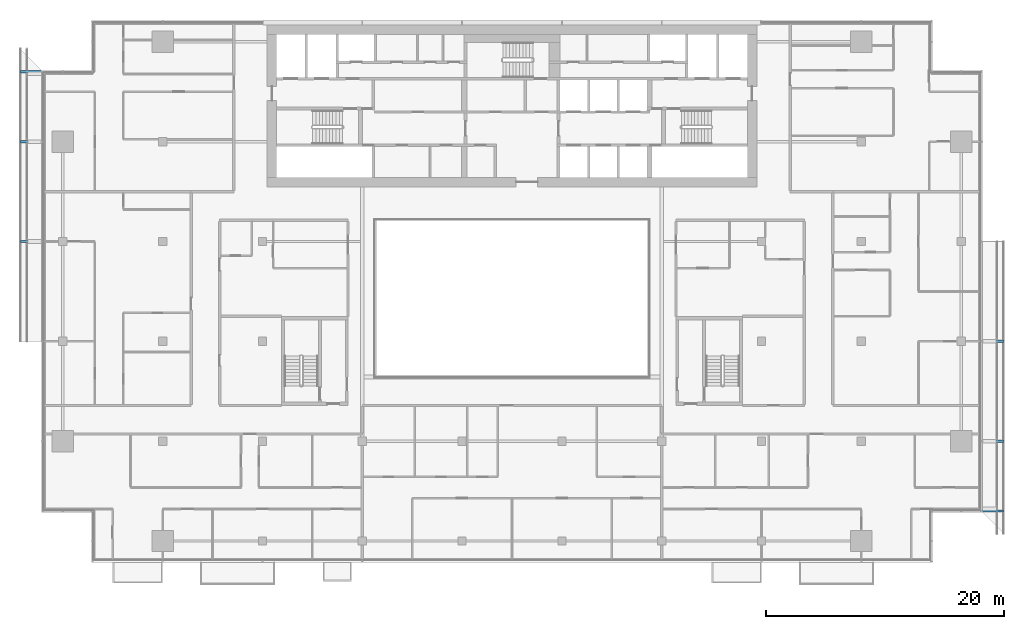
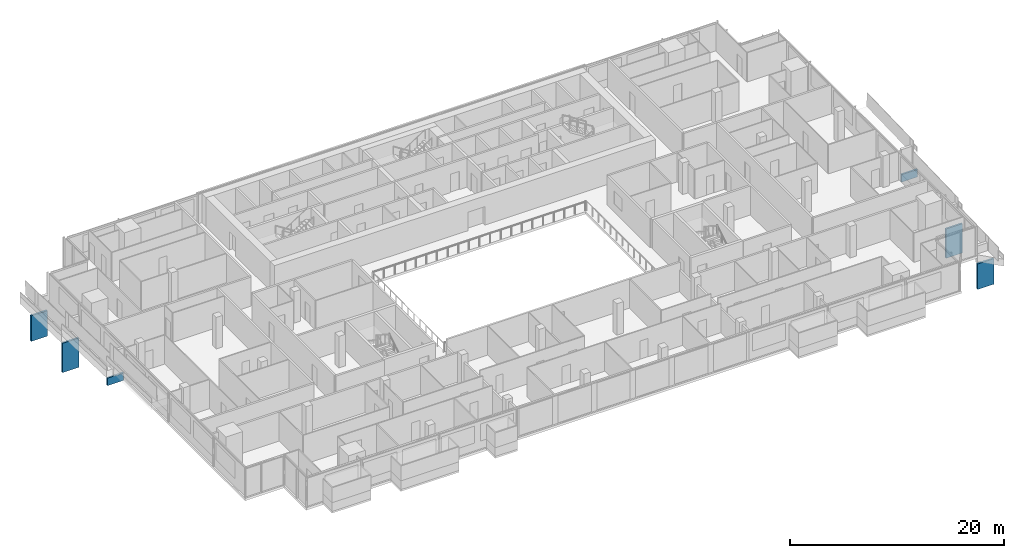
# One storey, part 26 of 29: 6 discrete accessories.
"""IFC4 building model written with IfcOpenShell, lengths in metres."""

from ifc_helpers import new_model, si_unit, direction, frame, origin, origin_2d, place, context, subcontext, project, spatial, rectangle, extrude, element, save


model = new_model("IFC4")

# Units and contexts
model_context = context("Model", 3, precision=1e-05, world=origin(), true_north=direction((0.0, 1.0)))
body_context = subcontext(model_context, "Body", "Model", "MODEL_VIEW")
ifc_project = project(units=[si_unit("LENGTHUNIT", "METRE"), si_unit("AREAUNIT", "SQUARE_METRE"), si_unit("VOLUMEUNIT", "CUBIC_METRE"), si_unit("PLANEANGLEUNIT", "RADIAN"), si_unit("MASSUNIT", "GRAM", prefix="KILO")], contexts=[model_context])

# Site, building, storey
site_placement = place(None, origin())
site = spatial("IfcSite", under=ifc_project, at=site_placement, CompositionType="ELEMENT")
building_placement = place(site_placement, origin())
building = spatial("IfcBuilding", under=site, at=building_placement, Name="Saffron Gate Tower", CompositionType="ELEMENT")
storey_placement = place(building_placement, frame((0.0, 0.0, 161.85009765625)))
storey = spatial("IfcBuildingStorey", under=building, at=storey_placement, Name="L39", CompositionType="ELEMENT", Elevation=161.85009765625)

# Discrete accessories
discrete_accessory_1_placement = place(storey_placement, frame((128.074951171875, 34.320068359375, -3.880126953125), z_axis=(0.0, 0.0, 1.0), x_axis=(0.0, 1.0, 0.0)))
element("IfcDiscreteAccessory", 1, at=discrete_accessory_1_placement, inside=storey, Name="LEDGE rib", PredefinedType="BRACKET", context=body_context, shape_type="SweptSolid", body=[
    extrude(rectangle(XDim=0.199951171875, YDim=1.75, at=origin_2d()), origin(), (0.0, 0.0, 1.0), 2.921875),
])
discrete_accessory_2_placement = place(storey_placement, frame((128.074951171875, 40.199951171875, -3.880126953125), z_axis=(0.0, 0.0, 1.0), x_axis=(0.0, 1.0, 0.0)))
element("IfcDiscreteAccessory", 2, at=discrete_accessory_2_placement, inside=storey, Name="LEDGE rib", PredefinedType="BRACKET", context=body_context, shape_type="SweptSolid", body=[
    extrude(rectangle(XDim=0.199951171875, YDim=1.75, at=origin_2d()), origin(), (0.0, 0.0, 1.0), 3.35205078125),
])
discrete_accessory_3_placement = place(storey_placement, frame((128.074951171875, 48.60009765625, -0.2802734375), z_axis=(0.0, 0.0, 1.0), x_axis=(0.0, 1.0, 0.0)))
element("IfcDiscreteAccessory", 3, at=discrete_accessory_3_placement, inside=storey, Name="LEDGE rib", PredefinedType="BRACKET", context=body_context, shape_type="SweptSolid", body=[
    extrude(rectangle(XDim=0.199951171875, YDim=1.75, at=origin_2d()), origin(), (0.0, 0.0, 1.0), 0.851318359375),
])
discrete_accessory_4_placement = place(storey_placement, frame((47.125, 71.280029296875, -3.880126953125), z_axis=(0.0, 0.0, 1.0), x_axis=(0.0, -1.0, 0.0)))
element("IfcDiscreteAccessory", 4, at=discrete_accessory_4_placement, inside=storey, Name="LEDGE rib", PredefinedType="BRACKET", context=body_context, shape_type="SweptSolid", body=[
    extrude(rectangle(XDim=0.199951171875, YDim=1.75, at=origin_2d()), origin(), (0.0, 0.0, 1.0), 2.921875),
])
discrete_accessory_5_placement = place(storey_placement, frame((47.125, 65.39990234375, -3.880126953125), z_axis=(0.0, 0.0, 1.0), x_axis=(0.0, -1.0, 0.0)))
element("IfcDiscreteAccessory", 5, at=discrete_accessory_5_placement, inside=storey, Name="LEDGE rib", PredefinedType="BRACKET", context=body_context, shape_type="SweptSolid", body=[
    extrude(rectangle(XDim=0.199951171875, YDim=1.75, at=origin_2d()), origin(), (0.0, 0.0, 1.0), 3.35205078125),
])
discrete_accessory_6_placement = place(storey_placement, frame((47.125, 57.0, -0.2802734375), z_axis=(0.0, 0.0, 1.0), x_axis=(0.0, -1.0, 0.0)))
element("IfcDiscreteAccessory", 6, at=discrete_accessory_6_placement, inside=storey, Name="LEDGE rib", PredefinedType="BRACKET", context=body_context, shape_type="SweptSolid", body=[
    extrude(rectangle(XDim=0.199951171875, YDim=1.75, at=origin_2d()), origin(), (0.0, 0.0, 1.0), 0.851318359375),
])

save(model, "model.ifc")
